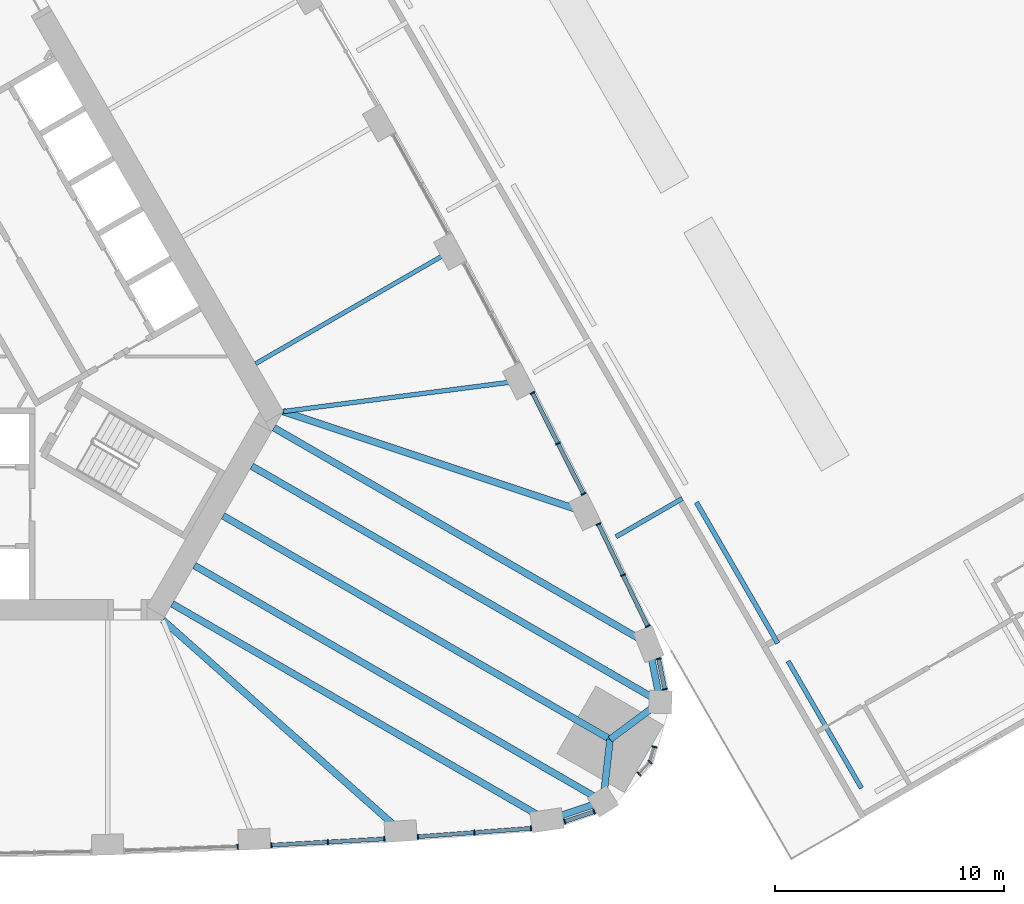
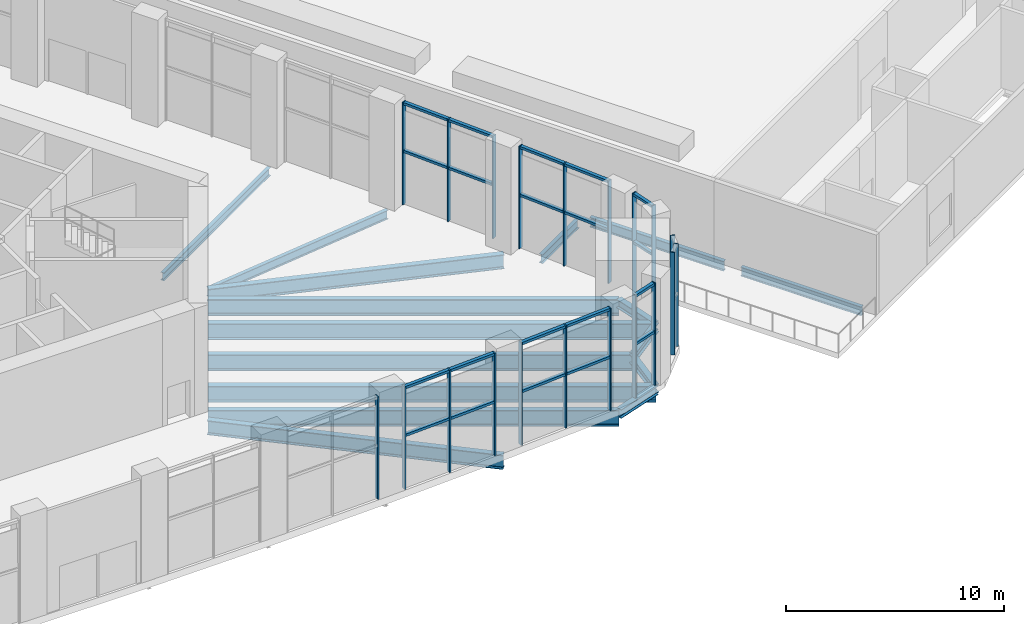
# One storey, part 8 of 41: 40 members, 16 beams, 3 elements without a shape of their own.
"""IFC4 building model written with IfcOpenShell, lengths in metres."""

from ifc_helpers import new_model, si_unit, direction, frame, origin, origin_2d, place, context, subcontext, project, spatial, rectangle, i_section, extrude, material, material_profile, profile_set, type_object, element, aggregate, save


model = new_model("IFC4")

# Units and contexts
model_context = context("Model", 3, precision=1e-05, world=origin(), true_north=direction((0.0, 1.0)))
body_context = subcontext(model_context, "Body", "Model", "MODEL_VIEW")
ifc_project = project(units=[si_unit("LENGTHUNIT", "METRE"), si_unit("AREAUNIT", "SQUARE_METRE"), si_unit("VOLUMEUNIT", "CUBIC_METRE"), si_unit("PLANEANGLEUNIT", "RADIAN"), si_unit("MASSUNIT", "GRAM", prefix="KILO")], contexts=[model_context])

# Site, building, storey
site_placement = place(None, origin())
site = spatial("IfcSite", under=ifc_project, at=site_placement, CompositionType="ELEMENT")
building_placement = place(site_placement, origin())
building = spatial("IfcBuilding", under=site, at=building_placement, Name="Mestral Congress Tower", CompositionType="ELEMENT")
storey_placement = place(building_placement, frame((0.0, 0.0, 21.60009765625)))
storey = spatial("IfcBuildingStorey", under=building, at=storey_placement, Name="L04", CompositionType="ELEMENT", Elevation=21.60009765625)

# Curtain wall, members
ifc_material_1 = material(Name="Clear low-emissivity double glazing", Category="glass")
curtain_wall_type = type_object("IfcCurtainWallType", Name="Facade arrival lobby curtain wall", PredefinedType="USERDEFINED", material=ifc_material_1)
placement = place(storey_placement, origin())
curtain_wall_1 = element("IfcCurtainWall", 1, at=placement, inside=storey, type_object=curtain_wall_type, Name="Facade arrival lobby curtain wall face 1", ObjectType="CURTAIN WALL", PredefinedType="USERDEFINED")
ifc_material_2 = material(Name="Anodised aluminium", Category="aluminium")
ifc_material_profile_1 = material_profile(ifc_material_2, rectangle(XDim=0.219970703125, YDim=0.06005859375, at=origin_2d()), Name="CW4 mullion 220 x 60")
ifc_profile_set_1 = profile_set([ifc_material_profile_1], Name="Anodised aluminium")
member_type_1 = type_object("IfcMemberType", Name="Facade arrival lobby curtain wall mullion", PredefinedType="MULLION", material=ifc_profile_set_1)
member_1_placement = place(storey_placement, frame((15.275146484375, -22.88525390625, 0.0), z_axis=(0.0, 0.0, 1.0), x_axis=(0.036968119987, -0.999316445429, 0.0)))
member_1 = element("IfcMember", 2, at=member_1_placement, type_object=member_type_1, Name="Facade arrival lobby curtain wall mullion", PredefinedType="MULLION", context=body_context, shape_type="SweptSolid", body=[
    extrude(rectangle(XDim=0.219970703125, YDim=0.06005859375, at=origin_2d()), origin(), (0.0, 0.0, 1.0), 5.75),
])
member_2_placement = place(storey_placement, frame((16.74072265625, -22.8173828125, 0.0), z_axis=(0.0, 0.0, 1.0), x_axis=(0.055427671282, -0.99846270499, 0.0)))
member_2 = element("IfcMember", 3, at=member_2_placement, type_object=member_type_1, Name="Facade arrival lobby curtain wall mullion", PredefinedType="MULLION", context=body_context, shape_type="SweptSolid", body=[
    extrude(rectangle(XDim=0.219970703125, YDim=0.06005859375, at=origin_2d()), origin(), (0.0, 0.0, 1.0), 5.75),
])
member_3_placement = place(storey_placement, frame((19.2060546875, -22.680419921875, 0.0), z_axis=(0.0, 0.0, 1.0), x_axis=(0.055427671282, -0.99846270499, 0.0)))
member_3 = element("IfcMember", 4, at=member_3_placement, type_object=member_type_1, Name="Facade arrival lobby curtain wall mullion", PredefinedType="MULLION", context=body_context, shape_type="SweptSolid", body=[
    extrude(rectangle(XDim=0.219970703125, YDim=0.06005859375, at=origin_2d()), origin(), (0.0, 0.0, 1.0), 5.75),
])
member_4_placement = place(storey_placement, frame((21.67138671875, -22.543701171875, 0.0), z_axis=(0.0, 0.0, 1.0), x_axis=(0.055427671282, -0.99846270499, 0.0)))
member_4 = element("IfcMember", 5, at=member_4_placement, type_object=member_type_1, Name="Facade arrival lobby curtain wall mullion", PredefinedType="MULLION", context=body_context, shape_type="SweptSolid", body=[
    extrude(rectangle(XDim=0.219970703125, YDim=0.06005859375, at=origin_2d()), origin(), (0.0, 0.0, 1.0), 5.75),
])
member_5_placement = place(storey_placement, frame((23.135498046875, -22.44873046875, 0.0), z_axis=(0.0, 0.0, 1.0), x_axis=(0.073878738281, -0.997267232005, 0.0)))
member_5 = element("IfcMember", 6, at=member_5_placement, type_object=member_type_1, Name="Facade arrival lobby curtain wall mullion", PredefinedType="MULLION", context=body_context, shape_type="SweptSolid", body=[
    extrude(rectangle(XDim=0.219970703125, YDim=0.06005859375, at=origin_2d()), origin(), (0.0, 0.0, 1.0), 5.75),
])
member_6_placement = place(storey_placement, frame((25.6015625, -22.26611328125, 0.0), z_axis=(0.0, 0.0, 1.0), x_axis=(0.073878738281, -0.997267232005, 0.0)))
member_6 = element("IfcMember", 7, at=member_6_placement, type_object=member_type_1, Name="Facade arrival lobby curtain wall mullion", PredefinedType="MULLION", context=body_context, shape_type="SweptSolid", body=[
    extrude(rectangle(XDim=0.219970703125, YDim=0.06005859375, at=origin_2d()), origin(), (0.0, 0.0, 1.0), 5.75),
])
member_7_placement = place(storey_placement, frame((28.0673828125, -22.08349609375, 0.0), z_axis=(0.0, 0.0, 1.0), x_axis=(0.073878738281, -0.997267232005, 0.0)))
member_7 = element("IfcMember", 8, at=member_7_placement, type_object=member_type_1, Name="Facade arrival lobby curtain wall mullion", PredefinedType="MULLION", context=body_context, shape_type="SweptSolid", body=[
    extrude(rectangle(XDim=0.219970703125, YDim=0.06005859375, at=origin_2d()), origin(), (0.0, 0.0, 1.0), 5.75),
])

curtain_wall_2 = element("IfcCurtainWall", 9, at=placement, inside=storey, type_object=curtain_wall_type, Name="Facade arrival lobby curtain wall face 2", ObjectType="CURTAIN WALL", PredefinedType="USERDEFINED")
member_8_placement = place(storey_placement, frame((33.15869140625, -13.265380859375, 0.0), z_axis=(0.0, 0.0, 1.0), x_axis=(0.90059585057, 0.434657467366, 0.0)))
member_8 = element("IfcMember", 10, at=member_8_placement, type_object=member_type_1, Name="Facade arrival lobby curtain wall mullion", PredefinedType="MULLION", context=body_context, shape_type="SweptSolid", body=[
    extrude(rectangle(XDim=0.219970703125, YDim=0.06005859375, at=origin_2d()), origin(), (0.0, 0.0, 1.0), 5.75),
])
member_9_placement = place(storey_placement, frame((32.083740234375, -11.03857421875, 0.0), z_axis=(0.0, 0.0, 1.0), x_axis=(0.90059585057, 0.434657467366, 0.0)))
member_9 = element("IfcMember", 11, at=member_9_placement, type_object=member_type_1, Name="Facade arrival lobby curtain wall mullion", PredefinedType="MULLION", context=body_context, shape_type="SweptSolid", body=[
    extrude(rectangle(XDim=0.219970703125, YDim=0.06005859375, at=origin_2d()), origin(), (0.0, 0.0, 1.0), 5.75),
])
member_10_placement = place(storey_placement, frame((31.0087890625, -8.811279296875, 0.0), z_axis=(0.0, 0.0, 1.0), x_axis=(0.90059585057, 0.434657467366, 0.0)))
member_10 = element("IfcMember", 12, at=member_10_placement, type_object=member_type_1, Name="Facade arrival lobby curtain wall mullion", PredefinedType="MULLION", context=body_context, shape_type="SweptSolid", body=[
    extrude(rectangle(XDim=0.219970703125, YDim=0.06005859375, at=origin_2d()), origin(), (0.0, 0.0, 1.0), 5.75),
])
member_11_placement = place(storey_placement, frame((30.35888671875, -7.49609375, 0.0), z_axis=(0.0, 0.0, 1.0), x_axis=(0.89241420316, 0.451217120684, 0.0)))
member_11 = element("IfcMember", 13, at=member_11_placement, type_object=member_type_1, Name="Facade arrival lobby curtain wall mullion", PredefinedType="MULLION", context=body_context, shape_type="SweptSolid", body=[
    extrude(rectangle(XDim=0.219970703125, YDim=0.06005859375, at=origin_2d()), origin(), (0.0, 0.0, 1.0), 5.75),
])
member_12_placement = place(storey_placement, frame((29.244873046875, -5.29248046875, 0.0), z_axis=(0.0, 0.0, 1.0), x_axis=(0.89241420316, 0.451217120684, 0.0)))
member_12 = element("IfcMember", 14, at=member_12_placement, type_object=member_type_1, Name="Facade arrival lobby curtain wall mullion", PredefinedType="MULLION", context=body_context, shape_type="SweptSolid", body=[
    extrude(rectangle(XDim=0.219970703125, YDim=0.06005859375, at=origin_2d()), origin(), (0.0, 0.0, 1.0), 5.75),
])
member_13_placement = place(storey_placement, frame((28.130859375, -3.089111328125, 0.0), z_axis=(0.0, 0.0, 1.0), x_axis=(0.89241420316, 0.451217120684, 0.0)))
member_13 = element("IfcMember", 15, at=member_13_placement, type_object=member_type_1, Name="Facade arrival lobby curtain wall mullion", PredefinedType="MULLION", context=body_context, shape_type="SweptSolid", body=[
    extrude(rectangle(XDim=0.219970703125, YDim=0.06005859375, at=origin_2d()), origin(), (0.0, 0.0, 1.0), 5.75),
])

curtain_wall_3 = element("IfcCurtainWall", 16, at=placement, inside=storey, type_object=curtain_wall_type, Name="Facade arrival lobby curtain wall corner 1", ObjectType="CURTAIN WALL", PredefinedType="USERDEFINED")
member_14_placement = place(storey_placement, frame((29.53857421875, -21.787841796875, 0.0), z_axis=(0.0, 0.0, 1.0), x_axis=(0.318554009007, -0.947904712165, 0.0)))
member_14 = element("IfcMember", 17, at=member_14_placement, type_object=member_type_1, Name="Facade arrival lobby curtain wall mullion", PredefinedType="MULLION", context=body_context, shape_type="SweptSolid", body=[
    extrude(rectangle(XDim=0.219970703125, YDim=0.06005859375, at=origin_2d()), origin(), (0.0, 0.0, 1.0), 5.75),
])
member_15_placement = place(storey_placement, frame((30.822998046875, -21.356201171875, 0.0), z_axis=(0.0, 0.0, 1.0), x_axis=(0.318554009007, -0.947904712165, 0.0)))
member_15 = element("IfcMember", 18, at=member_15_placement, type_object=member_type_1, Name="Facade arrival lobby curtain wall mullion", PredefinedType="MULLION", context=body_context, shape_type="SweptSolid", body=[
    extrude(rectangle(XDim=0.219970703125, YDim=0.06005859375, at=origin_2d()), origin(), (0.0, 0.0, 1.0), 5.75),
])
member_16_placement = place(storey_placement, frame((32.77978515625, -19.706787109375, 0.0), z_axis=(0.0, 0.0, 1.0), x_axis=(0.721656330444, -0.692251501068, 0.0)))
member_16 = element("IfcMember", 19, at=member_16_placement, type_object=member_type_1, Name="Facade arrival lobby curtain wall mullion", PredefinedType="MULLION", context=body_context, shape_type="SweptSolid", body=[
    extrude(rectangle(XDim=0.219970703125, YDim=0.06005859375, at=origin_2d()), origin(), (0.0, 0.0, 1.0), 5.75),
])
member_17_placement = place(storey_placement, frame((33.266845703125, -19.198974609375, 0.0), z_axis=(0.0, 0.0, 1.0), x_axis=(0.721656330444, -0.692251501068, 0.0)))
member_17 = element("IfcMember", 20, at=member_17_placement, type_object=member_type_1, Name="Facade arrival lobby curtain wall mullion", PredefinedType="MULLION", context=body_context, shape_type="SweptSolid", body=[
    extrude(rectangle(XDim=0.219970703125, YDim=0.06005859375, at=origin_2d()), origin(), (0.0, 0.0, 1.0), 5.75),
])
member_18_placement = place(storey_placement, frame((33.45654296875, -18.53466796875, 0.0), z_axis=(0.0, 0.0, 1.0), x_axis=(0.960332630823, -0.278857021027, 0.0)))
member_18 = element("IfcMember", 21, at=member_18_placement, type_object=member_type_1, Name="Facade arrival lobby curtain wall mullion", PredefinedType="MULLION", context=body_context, shape_type="SweptSolid", body=[
    extrude(rectangle(XDim=0.219970703125, YDim=0.06005859375, at=origin_2d()), origin(), (0.0, 0.0, 1.0), 5.75),
])
member_19_placement = place(storey_placement, frame((33.906494140625, -16.015380859375, 0.0), z_axis=(0.0, 0.0, 1.0), x_axis=(0.980186219896, 0.198078202553, 0.0)))
member_19 = element("IfcMember", 22, at=member_19_placement, type_object=member_type_1, Name="Facade arrival lobby curtain wall mullion", PredefinedType="MULLION", context=body_context, shape_type="SweptSolid", body=[
    extrude(rectangle(XDim=0.219970703125, YDim=0.06005859375, at=origin_2d()), origin(), (0.0, 0.0, 1.0), 5.75),
])
member_20_placement = place(storey_placement, frame((33.63818359375, -14.687255859375, 0.0), z_axis=(0.0, 0.0, 1.0), x_axis=(0.980186219896, 0.198078202553, 0.0)))
member_20 = element("IfcMember", 23, at=member_20_placement, type_object=member_type_1, Name="Facade arrival lobby curtain wall mullion", PredefinedType="MULLION", context=body_context, shape_type="SweptSolid", body=[
    extrude(rectangle(XDim=0.219970703125, YDim=0.06005859375, at=origin_2d()), origin(), (0.0, 0.0, 1.0), 5.75),
])

# Member
ifc_material_profile_2 = material_profile(ifc_material_2, rectangle(XDim=0.179931640625, YDim=0.139892578125, at=origin_2d()), Name="CW4 transom 180 x 140")
ifc_profile_set_2 = profile_set([ifc_material_profile_2], Name="Anodised aluminium")
member_type_2 = type_object("IfcMemberType", Name="Facade arrival lobby curtain wall transom", PredefinedType="USERDEFINED", material=ifc_profile_set_2)
member_21_placement = place(storey_placement, frame((16.7705078125, -22.815673828125, 3.0), z_axis=(0.998462535052, 0.055430732434, 0.0), x_axis=(-0.055430732434, 0.998462535052, 0.0)))
member_21 = element("IfcMember", 24, at=member_21_placement, type_object=member_type_2, Name="Facade arrival lobby curtain wall transom", ObjectType="TRANSOM", PredefinedType="USERDEFINED", context=body_context, shape_type="SweptSolid", body=[
    extrude(rectangle(XDim=0.179931640625, YDim=0.139892578125, at=origin_2d()), origin(), (0.0, 0.0, 1.0), 2.4091796875),
])

member_22_placement = place(storey_placement, frame((16.7705078125, -22.815673828125, 5.679931640625), z_axis=(0.998462535052, 0.055430732434, 0.0), x_axis=(-0.055430732434, 0.998462535052, 0.0)))
member_22 = element("IfcMember", 25, at=member_22_placement, type_object=member_type_2, Name="Facade arrival lobby curtain wall transom", ObjectType="TRANSOM", PredefinedType="USERDEFINED", context=body_context, shape_type="SweptSolid", body=[
    extrude(rectangle(XDim=0.179931640625, YDim=0.139892578125, at=origin_2d()), origin(), (0.0, 0.0, 1.0), 2.4091796875),
])

member_23_placement = place(storey_placement, frame((19.23583984375, -22.678955078125, 3.0), z_axis=(0.998462535052, 0.055430732434, 0.0), x_axis=(-0.055430732434, 0.998462535052, 0.0)))
member_23 = element("IfcMember", 26, at=member_23_placement, type_object=member_type_2, Name="Facade arrival lobby curtain wall transom", ObjectType="TRANSOM", PredefinedType="USERDEFINED", context=body_context, shape_type="SweptSolid", body=[
    extrude(rectangle(XDim=0.179931640625, YDim=0.139892578125, at=origin_2d()), origin(), (0.0, 0.0, 1.0), 2.4091796875),
])

member_24_placement = place(storey_placement, frame((19.23583984375, -22.678955078125, 5.679931640625), z_axis=(0.998462535052, 0.055430732434, 0.0), x_axis=(-0.055430732434, 0.998462535052, 0.0)))
member_24 = element("IfcMember", 27, at=member_24_placement, type_object=member_type_2, Name="Facade arrival lobby curtain wall transom", ObjectType="TRANSOM", PredefinedType="USERDEFINED", context=body_context, shape_type="SweptSolid", body=[
    extrude(rectangle(XDim=0.179931640625, YDim=0.139892578125, at=origin_2d()), origin(), (0.0, 0.0, 1.0), 2.4091796875),
])

member_25_placement = place(storey_placement, frame((23.165283203125, -22.446533203125, 3.0), z_axis=(0.997268306592, 0.073864231312, 0.0), x_axis=(-0.073864231312, 0.997268306592, 0.0)))
member_25 = element("IfcMember", 28, at=member_25_placement, type_object=member_type_2, Name="Facade arrival lobby curtain wall transom", ObjectType="TRANSOM", PredefinedType="USERDEFINED", context=body_context, shape_type="SweptSolid", body=[
    extrude(rectangle(XDim=0.179931640625, YDim=0.139892578125, at=origin_2d()), origin(), (0.0, 0.0, 1.0), 2.412841796875),
])

member_26_placement = place(storey_placement, frame((23.165283203125, -22.446533203125, 5.679931640625), z_axis=(0.997268306592, 0.073864231312, 0.0), x_axis=(-0.073864231312, 0.997268306592, 0.0)))
member_26 = element("IfcMember", 29, at=member_26_placement, type_object=member_type_2, Name="Facade arrival lobby curtain wall transom", ObjectType="TRANSOM", PredefinedType="USERDEFINED", context=body_context, shape_type="SweptSolid", body=[
    extrude(rectangle(XDim=0.179931640625, YDim=0.139892578125, at=origin_2d()), origin(), (0.0, 0.0, 1.0), 2.412841796875),
])

member_27_placement = place(storey_placement, frame((25.63134765625, -22.263916015625, 3.0), z_axis=(0.997268306592, 0.073864231312, 0.0), x_axis=(-0.073864231312, 0.997268306592, 0.0)))
member_27 = element("IfcMember", 30, at=member_27_placement, type_object=member_type_2, Name="Facade arrival lobby curtain wall transom", ObjectType="TRANSOM", PredefinedType="USERDEFINED", context=body_context, shape_type="SweptSolid", body=[
    extrude(rectangle(XDim=0.179931640625, YDim=0.139892578125, at=origin_2d()), origin(), (0.0, 0.0, 1.0), 2.412841796875),
])

member_28_placement = place(storey_placement, frame((25.63134765625, -22.263916015625, 5.679931640625), z_axis=(0.997268306592, 0.073864231312, 0.0), x_axis=(-0.073864231312, 0.997268306592, 0.0)))
member_28 = element("IfcMember", 31, at=member_28_placement, type_object=member_type_2, Name="Facade arrival lobby curtain wall transom", ObjectType="TRANSOM", PredefinedType="USERDEFINED", context=body_context, shape_type="SweptSolid", body=[
    extrude(rectangle(XDim=0.179931640625, YDim=0.139892578125, at=origin_2d()), origin(), (0.0, 0.0, 1.0), 2.412841796875),
])

aggregate(curtain_wall_1, [member_1, member_2, member_3, member_4, member_21, member_22, member_23, member_24, member_5, member_6, member_7, member_25, member_26, member_27, member_28])

member_29_placement = place(storey_placement, frame((33.1455078125, -13.238525390625, 3.0), z_axis=(-0.434664179072, 0.900592611247, 0.0), x_axis=(-0.900592611247, -0.434664179072, 0.0)))
member_29 = element("IfcMember", 32, at=member_29_placement, type_object=member_type_2, Name="Facade arrival lobby curtain wall transom", ObjectType="TRANSOM", PredefinedType="USERDEFINED", context=body_context, shape_type="SweptSolid", body=[
    extrude(rectangle(XDim=0.179931640625, YDim=0.139892578125, at=origin_2d()), origin(), (0.0, 0.0, 1.0), 2.412841796875),
])

member_30_placement = place(storey_placement, frame((33.1455078125, -13.238525390625, 5.679931640625), z_axis=(-0.434664179072, 0.900592611247, 0.0), x_axis=(-0.900592611247, -0.434664179072, 0.0)))
member_30 = element("IfcMember", 33, at=member_30_placement, type_object=member_type_2, Name="Facade arrival lobby curtain wall transom", ObjectType="TRANSOM", PredefinedType="USERDEFINED", context=body_context, shape_type="SweptSolid", body=[
    extrude(rectangle(XDim=0.179931640625, YDim=0.139892578125, at=origin_2d()), origin(), (0.0, 0.0, 1.0), 2.412841796875),
])

member_31_placement = place(storey_placement, frame((32.07080078125, -11.011474609375, 3.0), z_axis=(-0.434664179072, 0.900592611247, 0.0), x_axis=(-0.900592611247, -0.434664179072, 0.0)))
member_31 = element("IfcMember", 34, at=member_31_placement, type_object=member_type_2, Name="Facade arrival lobby curtain wall transom", ObjectType="TRANSOM", PredefinedType="USERDEFINED", context=body_context, shape_type="SweptSolid", body=[
    extrude(rectangle(XDim=0.179931640625, YDim=0.139892578125, at=origin_2d()), origin(), (0.0, 0.0, 1.0), 2.412841796875),
])

member_32_placement = place(storey_placement, frame((32.07080078125, -11.011474609375, 5.679931640625), z_axis=(-0.434664179072, 0.900592611247, 0.0), x_axis=(-0.900592611247, -0.434664179072, 0.0)))
member_32 = element("IfcMember", 35, at=member_32_placement, type_object=member_type_2, Name="Facade arrival lobby curtain wall transom", ObjectType="TRANSOM", PredefinedType="USERDEFINED", context=body_context, shape_type="SweptSolid", body=[
    extrude(rectangle(XDim=0.179931640625, YDim=0.139892578125, at=origin_2d()), origin(), (0.0, 0.0, 1.0), 2.412841796875),
])

member_33_placement = place(storey_placement, frame((30.345458984375, -7.46923828125, 3.0), z_axis=(-0.451262562737, 0.892391225569, 0.0), x_axis=(-0.892391225569, -0.451262562737, 0.0)))
member_33 = element("IfcMember", 36, at=member_33_placement, type_object=member_type_2, Name="Facade arrival lobby curtain wall transom", ObjectType="TRANSOM", PredefinedType="USERDEFINED", context=body_context, shape_type="SweptSolid", body=[
    extrude(rectangle(XDim=0.179931640625, YDim=0.139892578125, at=origin_2d()), origin(), (0.0, 0.0, 1.0), 2.4091796875),
])

member_34_placement = place(storey_placement, frame((30.345458984375, -7.46923828125, 5.679931640625), z_axis=(-0.451262562737, 0.892391225569, 0.0), x_axis=(-0.892391225569, -0.451262562737, 0.0)))
member_34 = element("IfcMember", 37, at=member_34_placement, type_object=member_type_2, Name="Facade arrival lobby curtain wall transom", ObjectType="TRANSOM", PredefinedType="USERDEFINED", context=body_context, shape_type="SweptSolid", body=[
    extrude(rectangle(XDim=0.179931640625, YDim=0.139892578125, at=origin_2d()), origin(), (0.0, 0.0, 1.0), 2.4091796875),
])

member_35_placement = place(storey_placement, frame((29.2314453125, -5.265869140625, 3.0), z_axis=(-0.451262562737, 0.892391225569, 0.0), x_axis=(-0.892391225569, -0.451262562737, 0.0)))
member_35 = element("IfcMember", 38, at=member_35_placement, type_object=member_type_2, Name="Facade arrival lobby curtain wall transom", ObjectType="TRANSOM", PredefinedType="USERDEFINED", context=body_context, shape_type="SweptSolid", body=[
    extrude(rectangle(XDim=0.179931640625, YDim=0.139892578125, at=origin_2d()), origin(), (0.0, 0.0, 1.0), 2.4091796875),
])

member_36_placement = place(storey_placement, frame((29.2314453125, -5.265869140625, 5.679931640625), z_axis=(-0.451262562737, 0.892391225569, 0.0), x_axis=(-0.892391225569, -0.451262562737, 0.0)))
member_36 = element("IfcMember", 39, at=member_36_placement, type_object=member_type_2, Name="Facade arrival lobby curtain wall transom", ObjectType="TRANSOM", PredefinedType="USERDEFINED", context=body_context, shape_type="SweptSolid", body=[
    extrude(rectangle(XDim=0.179931640625, YDim=0.139892578125, at=origin_2d()), origin(), (0.0, 0.0, 1.0), 2.4091796875),
])

aggregate(curtain_wall_2, [member_8, member_9, member_10, member_29, member_30, member_31, member_32, member_11, member_12, member_13, member_33, member_34, member_35, member_36])

member_37_placement = place(storey_placement, frame((29.56689453125, -21.7783203125, 3.0), z_axis=(0.947945453696, 0.318432750854, 0.0), x_axis=(-0.318432750854, 0.947945453696, 0.0)))
member_37 = element("IfcMember", 40, at=member_37_placement, type_object=member_type_2, Name="Facade arrival lobby curtain wall transom", ObjectType="TRANSOM", PredefinedType="USERDEFINED", context=body_context, shape_type="SweptSolid", body=[
    extrude(rectangle(XDim=0.179931640625, YDim=0.139892578125, at=origin_2d()), origin(), (0.0, 0.0, 1.0), 1.294921875),
])

member_38_placement = place(storey_placement, frame((29.56689453125, -21.7783203125, 5.679931640625), z_axis=(0.947945453696, 0.318432750854, 0.0), x_axis=(-0.318432750854, 0.947945453696, 0.0)))
member_38 = element("IfcMember", 41, at=member_38_placement, type_object=member_type_2, Name="Facade arrival lobby curtain wall transom", ObjectType="TRANSOM", PredefinedType="USERDEFINED", context=body_context, shape_type="SweptSolid", body=[
    extrude(rectangle(XDim=0.179931640625, YDim=0.139892578125, at=origin_2d()), origin(), (0.0, 0.0, 1.0), 1.294921875),
])

member_39_placement = place(storey_placement, frame((33.900634765625, -15.98583984375, 3.0), z_axis=(-0.198182670866, 0.980165102913, 0.0), x_axis=(-0.980165102913, -0.198182670866, 0.0)))
member_39 = element("IfcMember", 42, at=member_39_placement, type_object=member_type_2, Name="Facade arrival lobby curtain wall transom", ObjectType="TRANSOM", PredefinedType="USERDEFINED", context=body_context, shape_type="SweptSolid", body=[
    extrude(rectangle(XDim=0.179931640625, YDim=0.139892578125, at=origin_2d()), origin(), (0.0, 0.0, 1.0), 1.294677734375),
])

member_40_placement = place(storey_placement, frame((33.900634765625, -15.98583984375, 5.679931640625), z_axis=(-0.198182670866, 0.980165102913, 0.0), x_axis=(-0.980165102913, -0.198182670866, 0.0)))
member_40 = element("IfcMember", 43, at=member_40_placement, type_object=member_type_2, Name="Facade arrival lobby curtain wall transom", ObjectType="TRANSOM", PredefinedType="USERDEFINED", context=body_context, shape_type="SweptSolid", body=[
    extrude(rectangle(XDim=0.179931640625, YDim=0.139892578125, at=origin_2d()), origin(), (0.0, 0.0, 1.0), 1.294677734375),
])

aggregate(curtain_wall_3, [member_14, member_15, member_37, member_38, member_16, member_17, member_18, member_19, member_20, member_39, member_40])

# Beams
ifc_material_3 = material(Name="Steel S355", Category="steel")
ifc_material_profile_3 = material_profile(ifc_material_3, i_section(OverallWidth=0.300048828125, OverallDepth=0.800048828125, WebThickness=0.017578125, FlangeThickness=0.032958984375, FilletRadius=0.030029296875, at=origin_2d()), Name="HEB 800")
ifc_profile_set_3 = profile_set([ifc_material_profile_3], Name="Steel S355")
beam_type_1 = type_object("IfcBeamType", Name="Floor beam HEB 800 S355", PredefinedType="BEAM", material=ifc_profile_set_3)
for number, where, z_axis, x_axis, name in (
    (44, (22.384521484375, -22.20361328125, -0.800048828125), (-0.748098457573, 0.663587746855, 0.0), (-0.663587746855, -0.748098457573, 0.0), "BM-L04-RB1-S08"),
    (45, (30.421142578125, -8.28369140625, -0.800048828125), (-0.948734333606, 0.316074618146, 0.0), (-0.316074618146, -0.948734333606, 0.0), "BM-L04-RB1-E01"),
):
    element("IfcBeam", number, at=place(storey_placement, frame(where, z_axis=z_axis, x_axis=x_axis)), inside=storey, type_object=beam_type_1, Name=name, PredefinedType="BEAM", context=body_context, shape_type="SweptSolid", body=[
        extrude(i_section(OverallWidth=0.300048828125, OverallDepth=0.800048828125, WebThickness=0.017578125, FlangeThickness=0.032958984375, FilletRadius=0.030029296875, at=origin_2d()), origin(), (0.0, 0.0, 1.0), 13.869384765625),
    ])
ifc_material_profile_4 = material_profile(ifc_material_3, i_section(OverallWidth=0.300048828125, OverallDepth=0.89990234375, WebThickness=0.0185546875, FlangeThickness=0.034912109375, FilletRadius=0.030029296875, at=origin_2d()), Name="HEB 900")
ifc_profile_set_4 = profile_set([ifc_material_profile_4], Name="Steel S355")
beam_type_2 = type_object("IfcBeamType", Name="Floor beam HEB 900 S355", PredefinedType="BEAM", material=ifc_profile_set_4)
beam_1_placement = place(storey_placement, frame((28.766845703125, -21.730712890625, -0.85009765625), z_axis=(-0.86603009716, 0.499991870746, 0.0), x_axis=(-0.499991870746, -0.86603009716, 0.0)))
element("IfcBeam", 46, at=beam_1_placement, inside=storey, type_object=beam_type_2, Name="BM-L04-RB1-S09", PredefinedType="BEAM", context=body_context, shape_type="SweptSolid", body=[
    extrude(i_section(OverallWidth=0.300048828125, OverallDepth=0.89990234375, WebThickness=0.0185546875, FlangeThickness=0.034912109375, FilletRadius=0.030029296875, at=origin_2d()), origin(), (0.0, 0.0, 1.0), 18.878173828125),
])
beam_2_placement = place(storey_placement, frame((31.210205078125, -20.90966796875, -0.85009765625), z_axis=(-0.866026584559, 0.499997954832, 0.0), x_axis=(-0.499997954832, -0.866026584559, 0.0)))
element("IfcBeam", 47, at=beam_2_placement, inside=storey, type_object=beam_type_2, Name="BM-L04-RB1-SE1", PredefinedType="BEAM", context=body_context, shape_type="SweptSolid", body=[
    extrude(i_section(OverallWidth=0.300048828125, OverallDepth=0.89990234375, WebThickness=0.0185546875, FlangeThickness=0.034912109375, FilletRadius=0.030029296875, at=origin_2d()), origin(), (0.0, 0.0, 1.0), 20.58349609375),
])
beam_3_placement = place(storey_placement, frame((31.5224609375, -18.199462890625, -0.85009765625), z_axis=(-0.866026289775, 0.499998465416, 0.0), x_axis=(-0.499998465416, -0.866026289775, 0.0)))
element("IfcBeam", 48, at=beam_3_placement, inside=storey, type_object=beam_type_2, Name="BM-L04-RB1-SE", PredefinedType="BEAM", context=body_context, shape_type="SweptSolid", body=[
    extrude(i_section(OverallWidth=0.300048828125, OverallDepth=0.89990234375, WebThickness=0.0185546875, FlangeThickness=0.034912109375, FilletRadius=0.030029296875, at=origin_2d()), origin(), (0.0, 0.0, 1.0), 19.4990234375),
])
beam_4_placement = place(storey_placement, frame((33.71337890625, -16.573974609375, -0.85009765625), z_axis=(-0.866026584559, 0.499997954832, 0.0), x_axis=(-0.499997954832, -0.866026584559, 0.0)))
element("IfcBeam", 49, at=beam_4_placement, inside=storey, type_object=beam_type_2, Name="BM-L04-RB1-SE3", PredefinedType="BEAM", context=body_context, shape_type="SweptSolid", body=[
    extrude(i_section(OverallWidth=0.300048828125, OverallDepth=0.89990234375, WebThickness=0.0185546875, FlangeThickness=0.034912109375, FilletRadius=0.030029296875, at=origin_2d()), origin(), (0.0, 0.0, 1.0), 20.58349609375),
])
beam_5_placement = place(storey_placement, frame((33.202880859375, -14.04736328125, -0.85009765625), z_axis=(-0.86603009716, 0.499991870746, 0.0), x_axis=(-0.499991870746, -0.86603009716, 0.0)))
element("IfcBeam", 50, at=beam_5_placement, inside=storey, type_object=beam_type_2, Name="BM-L04-RB1-E00", PredefinedType="BEAM", context=body_context, shape_type="SweptSolid", body=[
    extrude(i_section(OverallWidth=0.300048828125, OverallDepth=0.89990234375, WebThickness=0.0185546875, FlangeThickness=0.034912109375, FilletRadius=0.030029296875, at=origin_2d()), origin(), (0.0, 0.0, 1.0), 18.878173828125),
])
ifc_material_profile_5 = material_profile(ifc_material_3, i_section(OverallWidth=0.18994140625, OverallDepth=0.449951171875, WebThickness=0.009521484375, FlangeThickness=0.0146484375, FilletRadius=0.02099609375, at=origin_2d()), Name="IPE 450")
ifc_profile_set_5 = profile_set([ifc_material_profile_5], Name="Steel S355")
beam_type_3 = type_object("IfcBeamType", Name="Floor beam IPE 450 S355", PredefinedType="BEAM", material=ifc_profile_set_5)
beam_6_placement = place(storey_placement, frame((24.540283203125, 3.084716796875, -0.625), z_axis=(-0.866025782648, -0.499999343788, 0.0), x_axis=(0.499999343788, -0.866025782648, 0.0)))
element("IfcBeam", 51, at=beam_6_placement, inside=storey, type_object=beam_type_3, Name="BM-L04-RB1-E03", PredefinedType="BEAM", context=body_context, shape_type="SweptSolid", body=[
    extrude(i_section(OverallWidth=0.18994140625, OverallDepth=0.449951171875, WebThickness=0.009521484375, FlangeThickness=0.0146484375, FilletRadius=0.02099609375, at=origin_2d()), origin(), (0.0, 0.0, 1.0), 9.794921875),
])
ifc_material_profile_6 = material_profile(ifc_material_3, i_section(OverallWidth=0.199951171875, OverallDepth=0.5, WebThickness=0.01025390625, FlangeThickness=0.01611328125, FilletRadius=0.02099609375, at=origin_2d()), Name="IPE 500")
ifc_profile_set_6 = profile_set([ifc_material_profile_6], Name="Steel S355")
beam_type_4 = type_object("IfcBeamType", Name="Floor beam IPE 500 S355", PredefinedType="BEAM", material=ifc_profile_set_6)
beam_7_placement = place(storey_placement, frame((27.533203125, -2.572265625, -0.650146484375), z_axis=(-0.991748305255, -0.128200230198, 0.0), x_axis=(0.128200230198, -0.991748305255, 0.0)))
element("IfcBeam", 52, at=beam_7_placement, inside=storey, type_object=beam_type_4, Name="BM-L04-RB1-E02", PredefinedType="BEAM", context=body_context, shape_type="SweptSolid", body=[
    extrude(i_section(OverallWidth=0.199951171875, OverallDepth=0.5, WebThickness=0.01025390625, FlangeThickness=0.01611328125, FilletRadius=0.02099609375, at=origin_2d()), origin(), (0.0, 0.0, 1.0), 10.35595703125),
])
beam_8_placement = place(storey_placement, frame((42.485595703125, -20.3310546875, -0.550048828125), z_axis=(-0.500028443584, 0.866008981251, 0.0), x_axis=(-0.866008981251, -0.500028443584, 0.0)))
element("IfcBeam", 53, at=beam_8_placement, inside=storey, type_object=beam_type_4, Name="BM-L04-E-U01A", PredefinedType="BEAM", context=body_context, shape_type="SweptSolid", body=[
    extrude(i_section(OverallWidth=0.199951171875, OverallDepth=0.5, WebThickness=0.01025390625, FlangeThickness=0.01611328125, FilletRadius=0.02099609375, at=origin_2d()), origin(), (0.0, 0.0, 1.0), 6.400146484375),
])
beam_9_placement = place(storey_placement, frame((34.6708984375, -7.695556640625, -0.550048828125), z_axis=(-0.866032345022, -0.499987977232, 0.0), x_axis=(0.499987977232, -0.866032345022, 0.0)))
element("IfcBeam", 54, at=beam_9_placement, inside=storey, type_object=beam_type_4, Name="BM-L04-E-K03", PredefinedType="BEAM", context=body_context, shape_type="SweptSolid", body=[
    extrude(i_section(OverallWidth=0.199951171875, OverallDepth=0.5, WebThickness=0.01025390625, FlangeThickness=0.01611328125, FilletRadius=0.02099609375, at=origin_2d()), origin(), (0.0, 0.0, 1.0), 3.3427734375),
])
ifc_material_profile_7 = material_profile(ifc_material_3, i_section(OverallWidth=0.2099609375, OverallDepth=0.550048828125, WebThickness=0.010986328125, FlangeThickness=0.01708984375, FilletRadius=0.02392578125, at=origin_2d()), Name="IPE 550")
ifc_profile_set_7 = profile_set([ifc_material_profile_7], Name="Steel S355")
beam_type_5 = type_object("IfcBeamType", Name="Floor beam IPE 550 S355", PredefinedType="BEAM", material=ifc_profile_set_7)
beam_10_placement = place(storey_placement, frame((38.83544921875, -14.009033203125, -0.5751953125), z_axis=(-0.500011179042, 0.866018949465, 0.0), x_axis=(-0.866018949465, -0.500011179042, 0.0)))
element("IfcBeam", 55, at=beam_10_placement, inside=storey, type_object=beam_type_5, Name="BM-L04-E-U02A", PredefinedType="BEAM", context=body_context, shape_type="SweptSolid", body=[
    extrude(i_section(OverallWidth=0.2099609375, OverallDepth=0.550048828125, WebThickness=0.010986328125, FlangeThickness=0.01708984375, FilletRadius=0.02392578125, at=origin_2d()), origin(), (0.0, 0.0, 1.0), 7.099853515625),
])
ifc_material_profile_8 = material_profile(ifc_material_3, i_section(OverallWidth=0.300048828125, OverallDepth=0.489990234375, WebThickness=0.011962890625, FlangeThickness=0.02294921875, FilletRadius=0.027099609375, at=origin_2d()), Name="HEA 500")
ifc_profile_set_8 = profile_set([ifc_material_profile_8], Name="Steel S355")
beam_type_6 = type_object("IfcBeamType", Name="Spandrel beam HEA 500 S355", PredefinedType="BEAM", material=ifc_profile_set_8)
beam_11_placement = place(storey_placement, frame((28.766845703125, -21.730712890625, -0.64501953125), z_axis=(0.947913310096, 0.318528423446, 0.0), x_axis=(-0.318528423446, 0.947913310096, 0.0)))
element("IfcBeam", 56, at=beam_11_placement, inside=storey, type_object=beam_type_6, Name="SP-L04-SB1-S09", PredefinedType="BEAM", context=body_context, shape_type="SweptSolid", body=[
    extrude(i_section(OverallWidth=0.300048828125, OverallDepth=0.489990234375, WebThickness=0.011962890625, FlangeThickness=0.02294921875, FilletRadius=0.027099609375, at=origin_2d()), origin(), (0.0, 0.0, 1.0), 2.57763671875),
])
for number, where, z_axis, x_axis, name in (
    (57, (31.210205078125, -20.90966796875, -0.64501953125), (0.114457668102, 0.993428126345, 0.0), (-0.993428126345, 0.114457668102, 0.0), "SP-L04-SB1-SE1"),
    (58, (31.5224609375, -18.199462890625, -0.64501953125), (0.803103553896, 0.59583947647, 0.0), (-0.59583947647, 0.803103553896, 0.0), "SP-L04-SB1-SE"),
):
    element("IfcBeam", number, at=place(storey_placement, frame(where, z_axis=z_axis, x_axis=x_axis)), inside=storey, type_object=beam_type_6, Name=name, PredefinedType="BEAM", context=body_context, shape_type="SweptSolid", body=[
        extrude(i_section(OverallWidth=0.300048828125, OverallDepth=0.489990234375, WebThickness=0.011962890625, FlangeThickness=0.02294921875, FilletRadius=0.027099609375, at=origin_2d()), origin(), (0.0, 0.0, 1.0), 2.72802734375),
    ])
beam_12_placement = place(storey_placement, frame((33.71337890625, -16.573974609375, -0.64501953125), z_axis=(-0.198046458429, 0.980192634283, 0.0), x_axis=(-0.980192634283, -0.198046458429, 0.0)))
element("IfcBeam", 59, at=beam_12_placement, inside=storey, type_object=beam_type_6, Name="SP-L04-SB1-SE3", PredefinedType="BEAM", context=body_context, shape_type="SweptSolid", body=[
    extrude(i_section(OverallWidth=0.300048828125, OverallDepth=0.489990234375, WebThickness=0.011962890625, FlangeThickness=0.02294921875, FilletRadius=0.027099609375, at=origin_2d()), origin(), (0.0, 0.0, 1.0), 2.57763671875),
])

save(model, "model.ifc")
